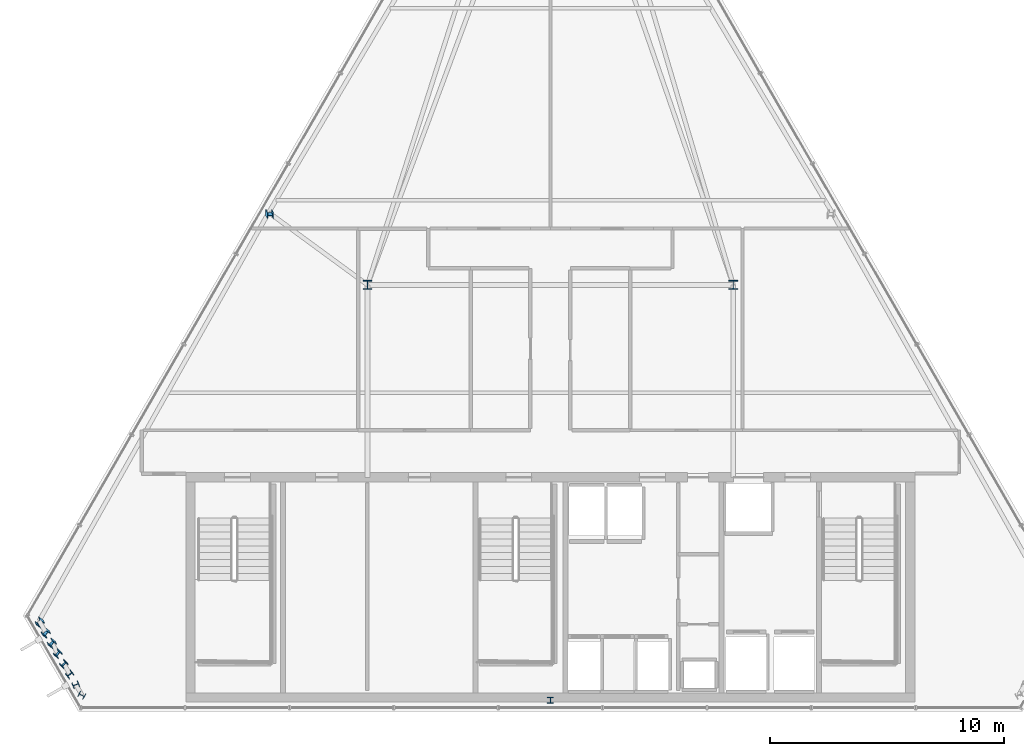
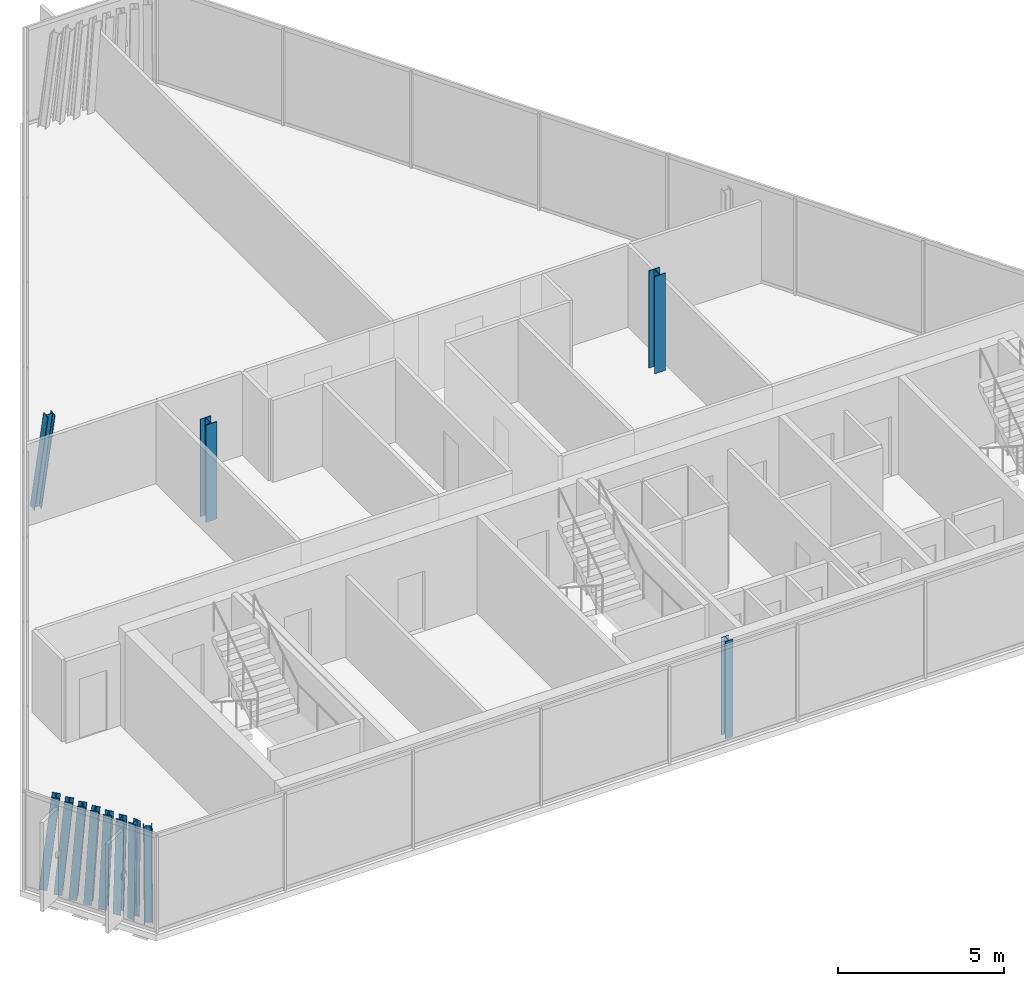
# One storey, part 1 of 32: 12 columns.
"""IFC4 building model written with IfcOpenShell, lengths in metres."""

from ifc_helpers import new_model, si_unit, direction, frame, origin, origin_2d, place, context, subcontext, project, spatial, i_section, extrude, material, material_profile, profile_set, type_object, element, save


model = new_model("IFC4")

# Units and contexts
model_context = context("Model", 3, precision=1e-05, world=origin(), true_north=direction((0.0, 1.0)))
body_context = subcontext(model_context, "Body", "Model", "MODEL_VIEW")
ifc_project = project(units=[si_unit("LENGTHUNIT", "METRE"), si_unit("AREAUNIT", "SQUARE_METRE"), si_unit("VOLUMEUNIT", "CUBIC_METRE"), si_unit("PLANEANGLEUNIT", "RADIAN"), si_unit("MASSUNIT", "GRAM", prefix="KILO")], contexts=[model_context])

# Site, building, storey
site_placement = place(None, origin())
site = spatial("IfcSite", under=ifc_project, at=site_placement, CompositionType="ELEMENT")
building_placement = place(site_placement, origin())
building = spatial("IfcBuilding", under=site, at=building_placement, Name="Ndaravel Arena Tower", CompositionType="ELEMENT")
storey_placement = place(building_placement, frame((0.0, 0.0, 290.89990234375)))
storey = spatial("IfcBuildingStorey", under=building, at=storey_placement, Name="L71", CompositionType="ELEMENT", Elevation=290.89990234375)

# Columns
ifc_material_1 = material(Name="Steel S355", Category="steel")
ifc_material_profile_1 = material_profile(ifc_material_1, i_section(OverallWidth=0.2587890625, OverallDepth=0.2666015625, WebThickness=0.0126953125, FlangeThickness=0.0205078125, FilletRadius=0.0126953125, at=origin_2d()), Name="UC 254x254x107")
ifc_profile_set_1 = profile_set([ifc_material_profile_1], Name="Steel S355")
column_type_1 = type_object("IfcColumnType", Name="COL-CRN-UC107", PredefinedType="COLUMN", material=ifc_profile_set_1)
column_1_placement = place(storey_placement, frame((42.0, 5.47998046875, 0.0), z_axis=(0.0, 0.0, 1.0), x_axis=(1.0, 0.0, 0.0)))
element("IfcColumn", 1, at=column_1_placement, inside=storey, type_object=column_type_1, Name="L71 Framed Tube Column TC-01", PredefinedType="COLUMN", context=body_context, shape_type="SweptSolid", body=[
    extrude(i_section(OverallWidth=0.2587890625, OverallDepth=0.2666015625, WebThickness=0.0126953125, FlangeThickness=0.0205078125, FilletRadius=0.0126953125, at=origin_2d()), origin(), (0.0, 0.0, 1.0), 3.580078125),
])
column_2_placement = place(storey_placement, frame((29.9873046875, 26.286865234375, 0.0), z_axis=(0.064911794707, -0.112513777493, 0.991527664154), x_axis=(0.003987046067, 0.993644521472, 0.112492970506)))
element("IfcColumn", 2, at=column_2_placement, inside=storey, type_object=column_type_1, Name="L71 Framed Tube Column TC-19", PredefinedType="COLUMN", context=body_context, shape_type="SweptSolid", body=[
    extrude(i_section(OverallWidth=0.2587890625, OverallDepth=0.2666015625, WebThickness=0.0126953125, FlangeThickness=0.0205078125, FilletRadius=0.0126953125, at=origin_2d()), origin(), (0.0, 0.0, 1.0), 3.610595703125),
])
column_3_placement = place(storey_placement, frame((20.192626953125, 8.869873046875, 0.0), z_axis=(0.051724991926, -0.119406974825, 0.991497100134), x_axis=(-0.80011318397, 0.589167860222, 0.112694832712)))
element("IfcColumn", 3, at=column_3_placement, inside=storey, type_object=column_type_1, Name="L71 Framed Tube Column TC-20", PredefinedType="COLUMN", context=body_context, shape_type="SweptSolid", body=[
    extrude(i_section(OverallWidth=0.2587890625, OverallDepth=0.2666015625, WebThickness=0.0126953125, FlangeThickness=0.0205078125, FilletRadius=0.0126953125, at=origin_2d()), origin(), (0.0, 0.0, 1.0), 3.61083984375),
])
column_4_placement = place(storey_placement, frame((20.45361328125, 8.41796875, 0.0), z_axis=(0.042555860906, -0.103746851986, 0.993692904979), x_axis=(-0.789181806641, 0.606433234677, 0.097112347031)))
element("IfcColumn", 4, at=column_4_placement, inside=storey, type_object=column_type_1, Name="L71 Framed Tube Column TC-21", PredefinedType="COLUMN", context=body_context, shape_type="SweptSolid", body=[
    extrude(i_section(OverallWidth=0.2587890625, OverallDepth=0.2666015625, WebThickness=0.0126953125, FlangeThickness=0.0205078125, FilletRadius=0.0126953125, at=origin_2d()), origin(), (0.0, 0.0, 1.0), 3.602783203125),
])
column_5_placement = place(storey_placement, frame((20.71435546875, 7.9658203125, 0.0), z_axis=(0.033470647913, -0.087919856081, 0.995565073029), x_axis=(-0.774036446069, 0.627877329686, 0.081471706891)))
element("IfcColumn", 5, at=column_5_placement, inside=storey, type_object=column_type_1, Name="L71 Framed Tube Column TC-22", PredefinedType="COLUMN", context=body_context, shape_type="SweptSolid", body=[
    extrude(i_section(OverallWidth=0.2587890625, OverallDepth=0.2666015625, WebThickness=0.0126953125, FlangeThickness=0.0205078125, FilletRadius=0.0126953125, at=origin_2d()), origin(), (0.0, 0.0, 1.0), 3.595947265625),
])
column_6_placement = place(storey_placement, frame((20.975341796875, 7.513916015625, 0.0), z_axis=(0.024274823165, -0.072076505755, 0.997103660749), x_axis=(-0.749462086186, 0.658762752498, 0.065865144737)))
element("IfcColumn", 6, at=column_6_placement, inside=storey, type_object=column_type_1, Name="L71 Framed Tube Column TC-23", PredefinedType="COLUMN", context=body_context, shape_type="SweptSolid", body=[
    extrude(i_section(OverallWidth=0.2587890625, OverallDepth=0.2666015625, WebThickness=0.0126953125, FlangeThickness=0.0205078125, FilletRadius=0.0126953125, at=origin_2d()), origin(), (0.0, 0.0, 1.0), 3.590576171875),
])
column_7_placement = place(storey_placement, frame((21.236328125, 7.06201171875, 0.0), z_axis=(0.01504542395, -0.056165044156, 0.998308130305), x_axis=(-0.706681200924, 0.705737927659, 0.050355314766)))
element("IfcColumn", 7, at=column_7_placement, inside=storey, type_object=column_type_1, Name="L71 Framed Tube Column TC-24", PredefinedType="COLUMN", context=body_context, shape_type="SweptSolid", body=[
    extrude(i_section(OverallWidth=0.2587890625, OverallDepth=0.2666015625, WebThickness=0.0126953125, FlangeThickness=0.0205078125, FilletRadius=0.0126953125, at=origin_2d()), origin(), (0.0, 0.0, 1.0), 3.586181640625),
])
column_8_placement = place(storey_placement, frame((21.497314453125, 6.610107421875, 0.0), z_axis=(0.005791741097, -0.040133358895, 0.999177546404), x_axis=(-0.618468463563, 0.785024577009, 0.035116564052)))
element("IfcColumn", 8, at=column_8_placement, inside=storey, type_object=column_type_1, Name="L71 Framed Tube Column TC-25", PredefinedType="COLUMN", context=body_context, shape_type="SweptSolid", body=[
    extrude(i_section(OverallWidth=0.2587890625, OverallDepth=0.2666015625, WebThickness=0.0126953125, FlangeThickness=0.0205078125, FilletRadius=0.0126953125, at=origin_2d()), origin(), (0.0, 0.0, 1.0), 3.5830078125),
])
column_9_placement = place(storey_placement, frame((21.75830078125, 6.157958984375, 0.0), z_axis=(-0.003476876794, -0.024065441336, 0.999704339223), x_axis=(-0.371064507273, 0.928368302905, 0.021057673285)))
element("IfcColumn", 9, at=column_9_placement, inside=storey, type_object=column_type_1, Name="L71 Framed Tube Column TC-26", PredefinedType="COLUMN", context=body_context, shape_type="SweptSolid", body=[
    extrude(i_section(OverallWidth=0.2587890625, OverallDepth=0.2666015625, WebThickness=0.0126953125, FlangeThickness=0.0205078125, FilletRadius=0.0126953125, at=origin_2d()), origin(), (0.0, 0.0, 1.0), 3.5810546875),
])
column_10_placement = place(storey_placement, frame((22.01904296875, 5.7060546875, 0.0), z_axis=(-0.012750869074, -0.008046002945, 0.999886332127), x_axis=(0.46549137214, 0.884956095151, 0.013057263081)))
element("IfcColumn", 10, at=column_10_placement, inside=storey, type_object=column_type_1, Name="L71 Framed Tube Column TC-27", PredefinedType="COLUMN", context=body_context, shape_type="SweptSolid", body=[
    extrude(i_section(OverallWidth=0.2587890625, OverallDepth=0.2666015625, WebThickness=0.0126953125, FlangeThickness=0.0205078125, FilletRadius=0.0126953125, at=origin_2d()), origin(), (0.0, 0.0, 1.0), 3.58056640625),
])
ifc_material_2 = material(Name="Steel S355", Category="steel")
ifc_material_profile_2 = material_profile(ifc_material_2, i_section(OverallWidth=0.374755859375, OverallDepth=0.37451171875, WebThickness=0.0166015625, FlangeThickness=0.027099609375, FilletRadius=0.01513671875, at=origin_2d()), Name="UC 356x368x202")
ifc_profile_set_2 = profile_set([ifc_material_profile_2], Name="Steel S355")
column_type_2 = type_object("IfcColumnType", Name="COL-CRN-UC202", PredefinedType="COLUMN", material=ifc_profile_set_2)
for number, where, z_axis, x_axis, name in (
    (11, (34.199951171875, 23.199951171875, 0.0), (0.0, 0.0, 1.0), (1.0, 0.0, 0.0), "L71 Interior Spine Column IC-01"),
    (12, (49.800048828125, 23.199951171875, 0.0), (0.0, 0.0, 1.0), (1.0, 0.0, 0.0), "L71 Interior Spine Column IC-02"),
):
    element("IfcColumn", number, at=place(storey_placement, frame(where, z_axis=z_axis, x_axis=x_axis)), inside=storey, type_object=column_type_2, Name=name, PredefinedType="COLUMN", context=body_context, shape_type="SweptSolid", body=[
        extrude(i_section(OverallWidth=0.374755859375, OverallDepth=0.37451171875, WebThickness=0.0166015625, FlangeThickness=0.027099609375, FilletRadius=0.01513671875, at=origin_2d()), origin(), (0.0, 0.0, 1.0), 3.580078125),
    ])

save(model, "model.ifc")
